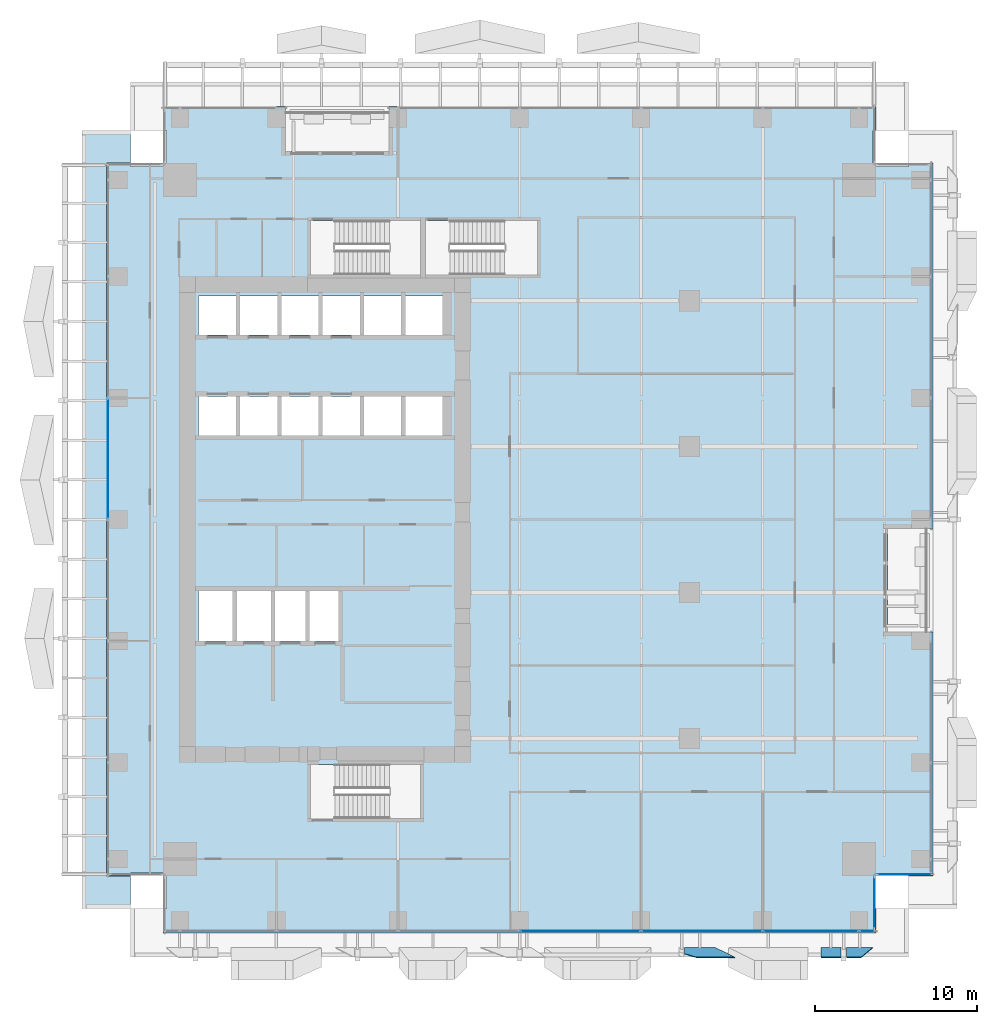
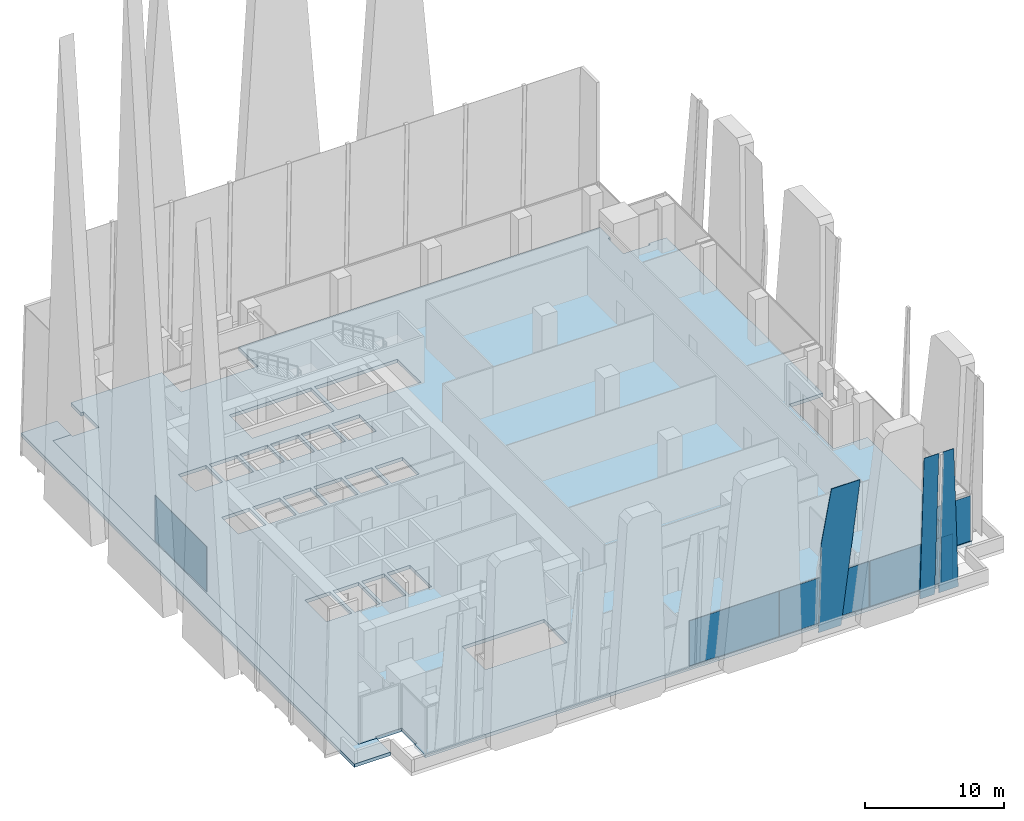
# One storey, part 22 of 37: 10 plates, 2 slabs, 4 elements without a shape of their own.
"""IFC4 building model written with IfcOpenShell, lengths in metres."""

from ifc_helpers import new_model, si_unit, direction, frame, origin, origin_2d, place, context, subcontext, project, spatial, polyline, rectangle, outline, extrude, source, transform, mapped, material, layer, layer_set, type_object, element, aggregate, save


model = new_model("IFC4")

# Units and contexts
model_context = context("Model", 3, precision=1e-05, world=origin(), true_north=direction((0.0, 1.0)))
body_context = subcontext(model_context, "Body", "Model", "MODEL_VIEW")
ifc_project = project(units=[si_unit("LENGTHUNIT", "METRE"), si_unit("AREAUNIT", "SQUARE_METRE"), si_unit("VOLUMEUNIT", "CUBIC_METRE"), si_unit("PLANEANGLEUNIT", "RADIAN"), si_unit("MASSUNIT", "GRAM", prefix="KILO")], contexts=[model_context])

# Site, building, storey
site_placement = place(None, origin())
site = spatial("IfcSite", under=ifc_project, at=site_placement, CompositionType="ELEMENT")
building_placement = place(site_placement, origin())
building = spatial("IfcBuilding", under=site, at=building_placement, Name="Khomas Fold Tower", CompositionType="ELEMENT")
storey_placement = place(building_placement, frame((0.0, 0.0, 101.5)))
storey = spatial("IfcBuildingStorey", under=building, at=storey_placement, Name="L21", CompositionType="ELEMENT", Elevation=101.5)

# Plates
ifc_material_1 = material(Name="Clear laminated glass", Category="glass")
ifc_layer_1 = layer(ifc_material_1, 0.0400390625)
ifc_layer_set_1 = layer_set([ifc_layer_1], Name="Clear laminated glass")
plate_type_1 = type_object("IfcPlateType", Name="SK-Clear laminated glass leaf", PredefinedType="SHEET", material=ifc_layer_set_1)
plate_1_placement = place(storey_placement, frame((39.051025390625, 0.60009765625, 0.0), z_axis=(-3.2073095e-05, 0.998875178973, 0.047417041273), x_axis=(-0.999999999486, -3.2037018e-05, -1.520811e-06)))
element("IfcPlate", 1, at=plate_1_placement, inside=storey, type_object=plate_type_1, Name="OUTER SKIN glass L21 SG105-11", PredefinedType="SHEET", context=body_context, shape_type="SweptSolid", body=[
    extrude(outline(polyline([(0.0, 0.0), (1.8811035146574702, 3.983391637325674e-22), (1.8811035190517265, 7.972597284337539), (1.150390623656634, 12.764356498752447), (-1.240234375113768, 12.764356498752447), (0.0, 0.0)])), origin(), (0.0, 0.0, -1.0), 0.0400390625),
])
plate_2_placement = place(storey_placement, frame((45.60009765625, 0.60009765625, 0.0), z_axis=(0.0, 0.998875266546, 0.047415207295), x_axis=(0.0, -0.047415207295, 0.998875266546)))
element("IfcPlate", 2, at=plate_2_placement, inside=storey, type_object=plate_type_1, Name="OUTER SKIN glass L21 SG106-12", PredefinedType="SHEET", context=body_context, shape_type="SweptSolid", body=[
    extrude(outline(polyline([(0.0, 0.0), (12.764356498773964, 0.0), (12.764356498773964, 1.22998046875), (0.0, 1.22998046875), (0.0, 0.0)])), origin(), (0.0, 0.0, -1.0), 0.0400390625),
])
plate_3_placement = place(storey_placement, frame((48.799560546875, 0.60009765625, 0.0), z_axis=(0.0, 0.998875266546, 0.047415207295), x_axis=(-1.0, 0.0, 0.0)))
element("IfcPlate", 3, at=plate_3_placement, inside=storey, type_object=plate_type_1, Name="OUTER SKIN glass L21 SG107-14", PredefinedType="SHEET", context=body_context, shape_type="SweptSolid", body=[
    extrude(outline(polyline([(0.0, 0.0), (1.629638671875, 0.0), (1.629638671875, 12.764356498773962), (0.72607421875, 12.764356498773962), (0.0, 0.0)])), origin(), (0.0, 0.0, -1.0), 0.0400390625),
])

# Slabs
ifc_material_2 = material(Name="Concrete C40/50", Category="concrete")
ifc_layer_2 = layer(ifc_material_2, 0.300048828125)
ifc_layer_set_2 = layer_set([ifc_layer_2], Name="Concrete C40/50")
slab_type_1 = type_object("IfcSlabType", Name="RC floor slab 300", PredefinedType="FLOOR", material=ifc_layer_set_2)
shared_shape_1 = source(origin(), body_context, "Body", "SweptSolid", [
    extrude(outline(polyline([(1.5, 5.0), (2.9951171875, 5.0), (2.9951171875, 5.205078125), (5.205078125, 5.205078125), (5.205078125, 2.9951171875), (5.0, 2.9951171875), (5.0, 1.5), (49.0, 1.5), (49.0, 2.9951171875), (48.794921875, 2.9951171875), (48.794921875, 5.205078125), (51.0048828125, 5.205078125), (51.0048828125, 5.0), (52.5, 5.0), (52.5, 20.050048828125), (49.699951171875, 20.050048828125), (49.699951171875, 26.449951171875), (52.5, 26.449951171875), (52.5, 49.0), (51.0048828125, 49.0), (51.0048828125, 48.794921875), (48.794921875, 48.794921875), (48.794921875, 51.0048828125), (49.0, 51.0048828125), (49.0, 52.5), (18.949951171875, 52.5), (18.949951171875, 49.699951171875), (12.550048828125, 49.699951171875), (12.550048828125, 52.5), (5.0, 52.5), (5.0, 51.0048828125), (5.205078125, 51.0048828125), (5.205078125, 48.794921875), (2.9951171875, 48.794921875), (2.9951171875, 49.0), (1.5, 49.0), (1.5, 5.0)]), holes=[polyline([(7.199951171875, 19.5), (7.199951171875, 22.60009765625), (9.300048828125, 22.60009765625), (9.300048828125, 19.5), (7.199951171875, 19.5)]), polyline([(7.199951171875, 32.199951171875), (7.199951171875, 34.60009765625), (9.5, 34.60009765625), (9.5, 32.199951171875), (7.199951171875, 32.199951171875)]), polyline([(7.199951171875, 38.39990234375), (7.199951171875, 40.800048828125), (9.5, 40.800048828125), (9.5, 38.39990234375), (7.199951171875, 38.39990234375)]), polyline([(9.550048828125, 19.5), (9.550048828125, 22.60009765625), (11.64990234375, 22.60009765625), (11.64990234375, 19.5), (9.550048828125, 19.5)]), polyline([(9.75, 32.199951171875), (9.75, 34.60009765625), (12.050048828125, 34.60009765625), (12.050048828125, 32.199951171875), (9.75, 32.199951171875)]), polyline([(9.75, 38.39990234375), (9.75, 40.800048828125), (12.050048828125, 40.800048828125), (12.050048828125, 38.39990234375), (9.75, 38.39990234375)]), polyline([(11.89990234375, 19.5), (11.89990234375, 22.60009765625), (13.800048828125, 22.60009765625), (13.800048828125, 19.5), (11.89990234375, 19.5)]), polyline([(12.300048828125, 32.199951171875), (12.300048828125, 34.60009765625), (14.60009765625, 34.60009765625), (14.60009765625, 32.199951171875), (12.300048828125, 32.199951171875)]), polyline([(12.300048828125, 38.39990234375), (12.300048828125, 40.800048828125), (14.60009765625, 40.800048828125), (14.60009765625, 38.39990234375), (12.300048828125, 38.39990234375)]), polyline([(14.050048828125, 19.5), (14.050048828125, 22.60009765625), (15.949951171875, 22.60009765625), (15.949951171875, 19.5), (14.050048828125, 19.5)]), polyline([(14.10009765625, 8.550048828125), (14.10009765625, 11.89990234375), (20.89990234375, 11.89990234375), (20.89990234375, 8.550048828125), (14.10009765625, 8.550048828125)]), polyline([(14.10009765625, 42.10009765625), (14.10009765625, 45.449951171875), (20.89990234375, 45.449951171875), (20.89990234375, 42.10009765625), (14.10009765625, 42.10009765625)]), polyline([(14.85009765625, 32.199951171875), (14.85009765625, 34.60009765625), (17.14990234375, 34.60009765625), (17.14990234375, 32.199951171875), (14.85009765625, 32.199951171875)]), polyline([(14.85009765625, 38.39990234375), (14.85009765625, 40.800048828125), (17.14990234375, 40.800048828125), (17.14990234375, 38.39990234375), (14.85009765625, 38.39990234375)]), polyline([(17.39990234375, 32.199951171875), (17.39990234375, 34.60009765625), (19.699951171875, 34.60009765625), (19.699951171875, 32.199951171875), (17.39990234375, 32.199951171875)]), polyline([(17.39990234375, 38.39990234375), (17.39990234375, 40.800048828125), (19.699951171875, 40.800048828125), (19.699951171875, 38.39990234375), (17.39990234375, 38.39990234375)]), polyline([(19.949951171875, 32.199951171875), (19.949951171875, 34.60009765625), (22.25, 34.60009765625), (22.25, 32.199951171875), (19.949951171875, 32.199951171875)]), polyline([(19.949951171875, 38.39990234375), (19.949951171875, 40.800048828125), (22.25, 40.800048828125), (22.25, 38.39990234375), (19.949951171875, 38.39990234375)]), polyline([(21.199951171875, 42.10009765625), (21.199951171875, 45.449951171875), (28.10009765625, 45.449951171875), (28.10009765625, 42.10009765625), (21.199951171875, 42.10009765625)])]), origin(), (0.0, 0.0, 1.0), 0.300048828125),
])
slab_1_placement = place(storey_placement, frame((0.0, 0.0, -0.300048828125)))
element("IfcSlab", 4, at=slab_1_placement, inside=storey, type_object=slab_type_1, Name="S-L21", PredefinedType="FLOOR", context=body_context, shape_type="MappedRepresentation", body=[
    mapped(shared_shape_1, transform((0.0, 0.0, 0.0))),
])
ifc_material_3 = material(Name="Concrete C40/50", Category="concrete")
ifc_layer_3 = layer(ifc_material_3, 0.300048828125)
ifc_layer_set_3 = layer_set([ifc_layer_3], Name="Concrete C40/50")
slab_type_2 = type_object("IfcSlabType", Name="RC roof slab 300", PredefinedType="ROOF", material=ifc_layer_set_3)
shared_shape_2 = source(origin(), body_context, "Body", "SweptSolid", [
    extrude(outline(polyline([(0.0, 3.0), (2.9951171875, 3.0), (2.9951171875, 5.0), (1.5, 5.0), (1.5, 49.0), (2.9951171875, 49.0), (2.9951171875, 51.0), (0.0, 51.0), (0.0, 3.0)])), origin(), (0.0, 0.0, 1.0), 0.300048828125),
])
slab_2_placement = place(storey_placement, frame((0.0, 0.0, -0.300048828125)))
element("IfcSlab", 5, at=slab_2_placement, inside=storey, type_object=slab_type_2, Name="Setback roof slab", PredefinedType="ROOF", context=body_context, shape_type="MappedRepresentation", body=[
    mapped(shared_shape_2, transform((0.0, 0.0, 0.0))),
])

# Curtain wall, plates
ifc_material_4 = material(Name="Aluminium framed double glazing", Category="aluminium")
curtain_wall_type = type_object("IfcCurtainWallType", Name="SK-Unitised clear-glass wall, growing floors CW1", PredefinedType="NOTDEFINED", material=ifc_material_4)
curtain_wall_1_placement = place(storey_placement, origin())
curtain_wall_1 = element("IfcCurtainWall", 6, at=curtain_wall_1_placement, inside=storey, type_object=curtain_wall_type, Name="CW1 run L21 00-0", PredefinedType="NOTDEFINED")
ifc_material_5 = material(Name="Clear double glazed unit")
ifc_layer_4 = layer(ifc_material_5, 0.031982421875)
ifc_layer_set_4 = layer_set([ifc_layer_4], Name="Clear double glazed unit")
plate_type_2 = type_object("IfcPlateType", Name="SK-Unitised clear-glass wall, growing floors glass panel CW1-P", PredefinedType="CURTAIN_PANEL", material=ifc_layer_set_4)
shared_shape_3 = source(origin(), body_context, "Body", "SweptSolid", [
    extrude(rectangle(XDim=5.889892578125, YDim=0.031982421875, at=origin_2d()), origin(), (0.0, 0.0, 1.0), 3.97998046875),
])
plate_4_placement = place(storey_placement, frame((44.97509765625, 1.60009765625, 0.0), z_axis=(0.0, 0.0, 1.0), x_axis=(1.0, 0.0, 0.0)))
plate_4 = element("IfcPlate", 7, at=plate_4_placement, type_object=plate_type_2, Name="CW1 glass panel 7", PredefinedType="CURTAIN_PANEL", context=body_context, shape_type="MappedRepresentation", body=[
    mapped(shared_shape_3, transform((0.0, 0.0, 0.0))),
])
shared_shape_4 = source(origin(), body_context, "Body", "SweptSolid", [
    extrude(rectangle(XDim=7.43994140625, YDim=0.031982421875, at=origin_2d()), origin(), (0.0, 0.0, 1.0), 3.97998046875),
])
plate_5_placement = place(storey_placement, frame((30.75, 1.60009765625, 0.0), z_axis=(0.0, 0.0, 1.0), x_axis=(1.0, 0.0, 0.0)))
plate_5 = element("IfcPlate", 8, at=plate_5_placement, type_object=plate_type_2, Name="CW1 glass panel 5", PredefinedType="CURTAIN_PANEL", context=body_context, shape_type="MappedRepresentation", body=[
    mapped(shared_shape_4, transform((0.0, 0.0, 0.0))),
])
plate_6_placement = place(storey_placement, frame((38.25, 1.60009765625, 0.0), z_axis=(0.0, 0.0, 1.0), x_axis=(1.0, 0.0, 0.0)))
plate_6 = element("IfcPlate", 9, at=plate_6_placement, type_object=plate_type_2, Name="CW1 glass panel 6", PredefinedType="CURTAIN_PANEL", context=body_context, shape_type="MappedRepresentation", body=[
    mapped(shared_shape_4, transform((0.0, 0.0, 0.0))),
])

# Curtain wall, plate
curtain_wall_2_placement = place(storey_placement, origin())
curtain_wall_2 = element("IfcCurtainWall", 10, at=curtain_wall_2_placement, inside=storey, type_object=curtain_wall_type, Name="CW1 run L21 09-0", PredefinedType="NOTDEFINED")
plate_7_placement = place(storey_placement, frame((1.60009765625, 30.75, 0.0), z_axis=(0.0, 0.0, 1.0), x_axis=(0.0, -1.0, 0.0)))
plate_7 = element("IfcPlate", 11, at=plate_7_placement, type_object=plate_type_2, Name="CW1 glass panel 4", PredefinedType="CURTAIN_PANEL", context=body_context, shape_type="MappedRepresentation", body=[
    mapped(shared_shape_4, transform((0.0, 0.0, 0.0))),
])
aggregate(curtain_wall_2, [plate_7])

# Plate
shared_shape_5 = source(origin(), body_context, "Body", "SweptSolid", [
    extrude(rectangle(XDim=0.9599609375, YDim=0.031982421875, at=origin_2d()), origin(), (0.0, 0.0, 1.0), 3.97998046875),
])
plate_8_placement = place(storey_placement, frame((48.4599609375, 1.60009765625, 0.0), z_axis=(0.0, 0.0, 1.0), x_axis=(1.0, 0.0, 0.0)))
plate_8 = element("IfcPlate", 12, at=plate_8_placement, type_object=plate_type_2, Name="CW1 glass panel 8", PredefinedType="CURTAIN_PANEL", context=body_context, shape_type="MappedRepresentation", body=[
    mapped(shared_shape_5, transform((0.0, 0.0, 0.0))),
])

aggregate(curtain_wall_1, [plate_5, plate_6, plate_4, plate_8])

# Curtain wall, plate
curtain_wall_3_placement = place(storey_placement, origin())
curtain_wall_3 = element("IfcCurtainWall", 13, at=curtain_wall_3_placement, inside=storey, type_object=curtain_wall_type, Name="CW1 corner return L21 01", PredefinedType="NOTDEFINED")
shared_shape_6 = source(origin(), body_context, "Body", "SweptSolid", [
    extrude(rectangle(XDim=3.179931640625, YDim=0.031982421875, at=origin_2d()), origin(), (0.0, 0.0, 1.0), 3.97998046875),
])
plate_9_placement = place(storey_placement, frame((48.89990234375, 3.35009765625, 0.0), z_axis=(0.0, 0.0, 1.0), x_axis=(0.0, 1.0, 0.0)))
plate_9 = element("IfcPlate", 14, at=plate_9_placement, type_object=plate_type_2, Name="CW1 glass panel 1", PredefinedType="CURTAIN_PANEL", context=body_context, shape_type="MappedRepresentation", body=[
    mapped(shared_shape_6, transform((0.0, 0.0, 0.0))),
])
aggregate(curtain_wall_3, [plate_9])

curtain_wall_4_placement = place(storey_placement, origin())
curtain_wall_4 = element("IfcCurtainWall", 15, at=curtain_wall_4_placement, inside=storey, type_object=curtain_wall_type, Name="CW1 corner return L21 02", PredefinedType="NOTDEFINED")
shared_shape_7 = source(origin(), body_context, "Body", "SweptSolid", [
    extrude(rectangle(XDim=3.3798828125, YDim=0.031982421875, at=origin_2d()), origin(), (0.0, 0.0, 1.0), 3.97998046875),
])
plate_10_placement = place(storey_placement, frame((50.75, 5.10009765625, 0.0), z_axis=(0.0, 0.0, 1.0), x_axis=(1.0, 0.0, 0.0)))
plate_10 = element("IfcPlate", 16, at=plate_10_placement, type_object=plate_type_2, Name="CW1 glass panel 1", PredefinedType="CURTAIN_PANEL", context=body_context, shape_type="MappedRepresentation", body=[
    mapped(shared_shape_7, transform((0.0, 0.0, 0.0))),
])
aggregate(curtain_wall_4, [plate_10])

save(model, "model.ifc")
